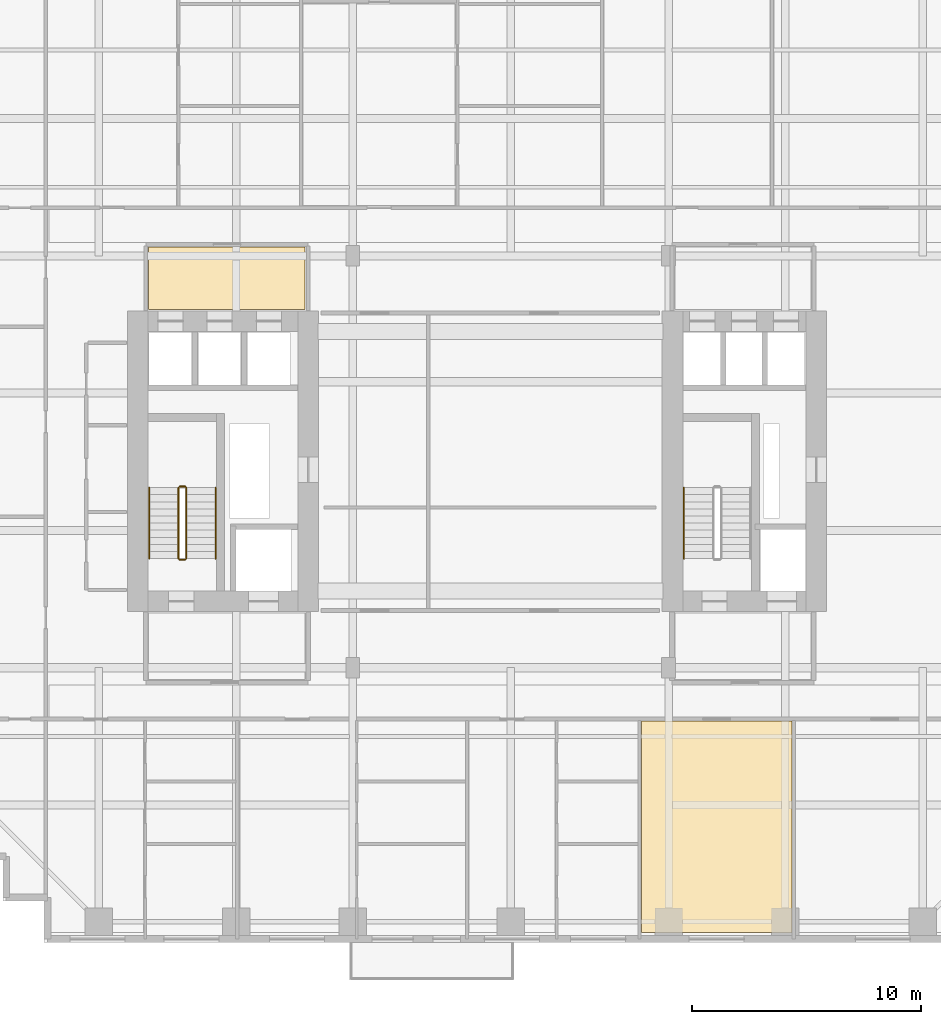
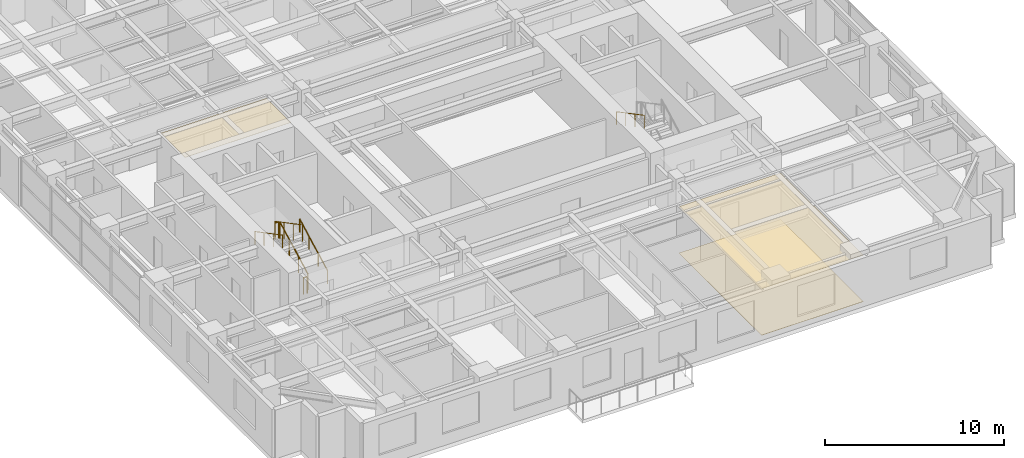
# One storey, part 17 of 19: 7 railings, 3 coverings.
"""IFC4 building model written with IfcOpenShell, lengths in metres."""

from ifc_helpers import new_model, si_unit, direction, frame, origin, origin_2d, place, context, subcontext, project, spatial, polyline, circle, outline, extrude, material, layer, layer_set, type_object, element, save


model = new_model("IFC4")

# Units and contexts
model_context = context("Model", 3, precision=1e-05, world=origin(), true_north=direction((0.0, 1.0)))
body_context = subcontext(model_context, "Body", "Model", "MODEL_VIEW")
ifc_project = project(units=[si_unit("LENGTHUNIT", "METRE"), si_unit("AREAUNIT", "SQUARE_METRE"), si_unit("VOLUMEUNIT", "CUBIC_METRE"), si_unit("PLANEANGLEUNIT", "RADIAN"), si_unit("MASSUNIT", "GRAM", prefix="KILO")], contexts=[model_context])

# Site, building, storey
site_placement = place(None, origin())
site = spatial("IfcSite", under=ifc_project, at=site_placement, CompositionType="ELEMENT")
building_placement = place(site_placement, origin())
building = spatial("IfcBuilding", under=site, at=building_placement, Name="Khoralis Quay Care Tower", CompositionType="ELEMENT")
storey_placement = place(building_placement, frame((0.0, 0.0, 69.300048828125)))
storey = spatial("IfcBuildingStorey", under=building, at=storey_placement, Name="L18", CompositionType="ELEMENT", Elevation=69.300048828125)

# Coverings
ifc_material_1 = material(Name="Mineral-fibre acoustic ceiling tile")
ifc_layer_1 = layer(ifc_material_1, 0.01806640625)
ifc_layer_set_1 = layer_set([ifc_layer_1], Name="Mineral-fibre acoustic ceiling tile")
covering_type_1 = type_object("IfcCoveringType", Name="COV-CEIL-AC18", PredefinedType="CEILING", material=ifc_layer_set_1)
covering_1_placement = place(storey_placement, frame((0.0, 0.0, 3.171875)))
element("IfcCovering", 1, at=covering_1_placement, inside=storey, type_object=covering_type_1, Name="Suspended Acoustic Ceiling SP-L18-LLOB-W", PredefinedType="CEILING", context=body_context, shape_type="SweptSolid", body=[
    extrude(outline(polyline([(8.179931640625, 27.64990234375), (15.02001953125, 27.64990234375), (15.02001953125, 30.389892578125), (8.179931640625, 30.389892578125), (8.179931640625, 27.64990234375)])), origin(), (0.0, 0.0, 1.0), 0.01806640625),
])
covering_2_placement = place(storey_placement, frame((0.0, 0.0, 3.171875)))
element("IfcCovering", 2, at=covering_2_placement, inside=storey, type_object=covering_type_1, Name="Suspended Acoustic Ceiling SP-L18-SB-COM3", PredefinedType="CEILING", context=body_context, shape_type="SweptSolid", body=[
    extrude(outline(polyline([(29.7099609375, 0.419921875), (36.2900390625, 0.419921875), (36.2900390625, 9.679931640625), (29.7099609375, 9.679931640625), (29.7099609375, 0.419921875)])), origin(), (0.0, 0.0, 1.0), 0.01806640625),
])
ifc_material_2 = material(Name="Porcelain and non-slip vinyl flooring")
ifc_layer_2 = layer(ifc_material_2, 0.02001953125)
ifc_layer_set_2 = layer_set([ifc_layer_2], Name="Porcelain and non-slip vinyl flooring")
covering_type_2 = type_object("IfcCoveringType", Name="COV-FLOOR-20", PredefinedType="FLOORING", material=ifc_layer_set_2)
covering_3_placement = place(storey_placement, origin())
element("IfcCovering", 3, at=covering_3_placement, inside=storey, type_object=covering_type_2, Name="Resilient Healthcare Flooring SP-L18-SB-COM3", PredefinedType="FLOORING", context=body_context, shape_type="SweptSolid", body=[
    extrude(outline(polyline([(29.7099609375, 0.419921875), (36.2900390625, 0.419921875), (36.2900390625, 9.679931640625), (29.7099609375, 9.679931640625), (29.7099609375, 0.419921875)])), origin(), (0.0, 0.0, 1.0), 0.02001953125),
])

# Railings
ifc_material_3 = material(Name="Brushed stainless steel", Category="steel")
railing_type_1 = type_object("IfcRailingType", Name="RL-GUARD-1150", PredefinedType="GUARDRAIL", material=ifc_material_3)
railing_1_placement = place(storey_placement, frame((9.820068359375, 16.77001953125, 0.16357421875)))
element("IfcRailing", 4, at=railing_1_placement, inside=storey, type_object=railing_type_1, Name="L18 ST-T1 stair guard 1", PredefinedType="GUARDRAIL", context=body_context, shape_type="SweptSolid", body=[
    extrude(circle(Radius=0.02392578125, at=origin_2d()), frame((0.0, 0.0, 1.1259765625), z_axis=(0.0, 0.884348015382, 0.466828220752), x_axis=(-1.0, 0.0, 0.0)), (0.0, 0.0, 1.0), 3.505615234375),
    extrude(circle(Radius=0.02099609375, at=origin_2d()), origin(), (0.0, 0.0, 1.0), 1.101806640625),
    extrude(circle(Radius=0.02099609375, at=origin_2d()), frame((0.0, 1.033447265625, 0.54541015625)), (0.0, 0.0, 1.0), 1.101806640625),
    extrude(circle(Radius=0.02099609375, at=origin_2d()), frame((0.0, 2.066650390625, 1.091064453125)), (0.0, 0.0, 1.0), 1.101806640625),
    extrude(circle(Radius=0.02099609375, at=origin_2d()), frame((0.0, 3.10009765625, 1.636474609375)), (0.0, 0.0, 1.0), 1.101806640625),
])
railing_2_placement = place(storey_placement, frame((9.77001953125, 19.919921875, 1.800048828125)))
element("IfcRailing", 5, at=railing_2_placement, inside=storey, type_object=railing_type_1, Name="L18 ST-T1 stair guard 2", PredefinedType="GUARDRAIL", context=body_context, shape_type="SweptSolid", body=[
    extrude(circle(Radius=0.02392578125, at=origin_2d()), frame((0.0, 0.0, 1.1259765625), z_axis=(-1.0, 0.0, 0.0), x_axis=(0.0, -1.0, 0.0)), (0.0, 0.0, 1.0), 0.239990234375),
    extrude(circle(Radius=0.02099609375, at=origin_2d()), origin(), (0.0, 0.0, 1.0), 1.101806640625),
    extrude(circle(Radius=0.02099609375, at=origin_2d()), frame((-0.239990234375, 0.0, 0.0)), (0.0, 0.0, 1.0), 1.101806640625),
])
railing_3_placement = place(storey_placement, frame((9.47998046875, 19.8701171875, 1.963623046875)))
element("IfcRailing", 6, at=railing_3_placement, inside=storey, type_object=railing_type_1, Name="L18 ST-T1 stair guard 3", PredefinedType="GUARDRAIL", context=body_context, shape_type="SweptSolid", body=[
    extrude(circle(Radius=0.02392578125, at=origin_2d()), frame((0.0, 0.0, 1.1259765625), z_axis=(0.0, -0.884376766648, 0.46677375099), x_axis=(1.0, 0.0, 0.0)), (0.0, 0.0, 1.0), 3.50537109375),
    extrude(circle(Radius=0.02099609375, at=origin_2d()), origin(), (0.0, 0.0, 1.0), 1.101806640625),
    extrude(circle(Radius=0.02099609375, at=origin_2d()), frame((0.0, -1.033447265625, 0.54541015625)), (0.0, 0.0, 1.0), 1.101806640625),
    extrude(circle(Radius=0.02099609375, at=origin_2d()), frame((0.0, -2.066650390625, 1.0908203125)), (0.0, 0.0, 1.0), 1.101806640625),
    extrude(circle(Radius=0.02099609375, at=origin_2d()), frame((0.0, -3.10009765625, 1.63623046875)), (0.0, 0.0, 1.0), 1.101806640625),
])
railing_4_placement = place(storey_placement, frame((9.77001953125, 16.719970703125, 0.0)))
element("IfcRailing", 7, at=railing_4_placement, inside=storey, type_object=railing_type_1, Name="L18 ST-T1 stair guard 4", PredefinedType="GUARDRAIL", context=body_context, shape_type="SweptSolid", body=[
    extrude(circle(Radius=0.02392578125, at=origin_2d()), frame((0.0, 0.0, 1.1259765625), z_axis=(-1.0, 0.0, 0.0), x_axis=(0.0, -1.0, 0.0)), (0.0, 0.0, 1.0), 0.239990234375),
    extrude(circle(Radius=0.02099609375, at=origin_2d()), origin(), (0.0, 0.0, 1.0), 1.101806640625),
    extrude(circle(Radius=0.02099609375, at=origin_2d()), frame((-0.239990234375, 0.0, 0.0)), (0.0, 0.0, 1.0), 1.101806640625),
])
railing_type_2 = type_object("IfcRailingType", Name="RL-HAND-900", PredefinedType="HANDRAIL", material=ifc_material_3)
railing_5_placement = place(storey_placement, frame((11.10009765625, 16.77001953125, 0.16357421875)))
element("IfcRailing", 8, at=railing_5_placement, inside=storey, type_object=railing_type_2, Name="L18 ST-T1 stair handrail 1", PredefinedType="HANDRAIL", context=body_context, shape_type="SweptSolid", body=[
    extrude(circle(Radius=0.02392578125, at=origin_2d()), frame((0.0, 0.0, 0.8759765625), z_axis=(0.0, 0.884348015382, 0.466828220752), x_axis=(-1.0, 0.0, 0.0)), (0.0, 0.0, 1.0), 3.505615234375),
    extrude(circle(Radius=0.02099609375, at=origin_2d()), origin(), (0.0, 0.0, 1.0), 0.851806640625),
    extrude(circle(Radius=0.02099609375, at=origin_2d()), frame((0.0, 1.033447265625, 0.54541015625)), (0.0, 0.0, 1.0), 0.851806640625),
    extrude(circle(Radius=0.02099609375, at=origin_2d()), frame((0.0, 2.066650390625, 1.091064453125)), (0.0, 0.0, 1.0), 0.851806640625),
    extrude(circle(Radius=0.02099609375, at=origin_2d()), frame((0.0, 3.10009765625, 1.636474609375)), (0.0, 0.0, 1.0), 0.851806640625),
])
for number, where, name in (
    (9, (8.199951171875, 19.8701171875, 1.963623046875), "L18 ST-T1 stair handrail 2"),
    (10, (31.570068359375, 19.8701171875, 1.963623046875), "L18 ST-T2 stair handrail 2"),
):
    element("IfcRailing", number, at=place(storey_placement, frame(where)), inside=storey, type_object=railing_type_2, Name=name, PredefinedType="HANDRAIL", context=body_context, shape_type="SweptSolid", body=[
        extrude(circle(Radius=0.02392578125, at=origin_2d()), frame((0.0, 0.0, 0.8759765625), z_axis=(0.0, -0.884376766648, 0.46677375099), x_axis=(1.0, 0.0, 0.0)), (0.0, 0.0, 1.0), 3.50537109375),
        extrude(circle(Radius=0.02099609375, at=origin_2d()), origin(), (0.0, 0.0, 1.0), 0.851806640625),
        extrude(circle(Radius=0.02099609375, at=origin_2d()), frame((0.0, -1.033447265625, 0.54541015625)), (0.0, 0.0, 1.0), 0.851806640625),
        extrude(circle(Radius=0.02099609375, at=origin_2d()), frame((0.0, -2.066650390625, 1.0908203125)), (0.0, 0.0, 1.0), 0.851806640625),
        extrude(circle(Radius=0.02099609375, at=origin_2d()), frame((0.0, -3.10009765625, 1.63623046875)), (0.0, 0.0, 1.0), 0.851806640625),
    ])

save(model, "model.ifc")
